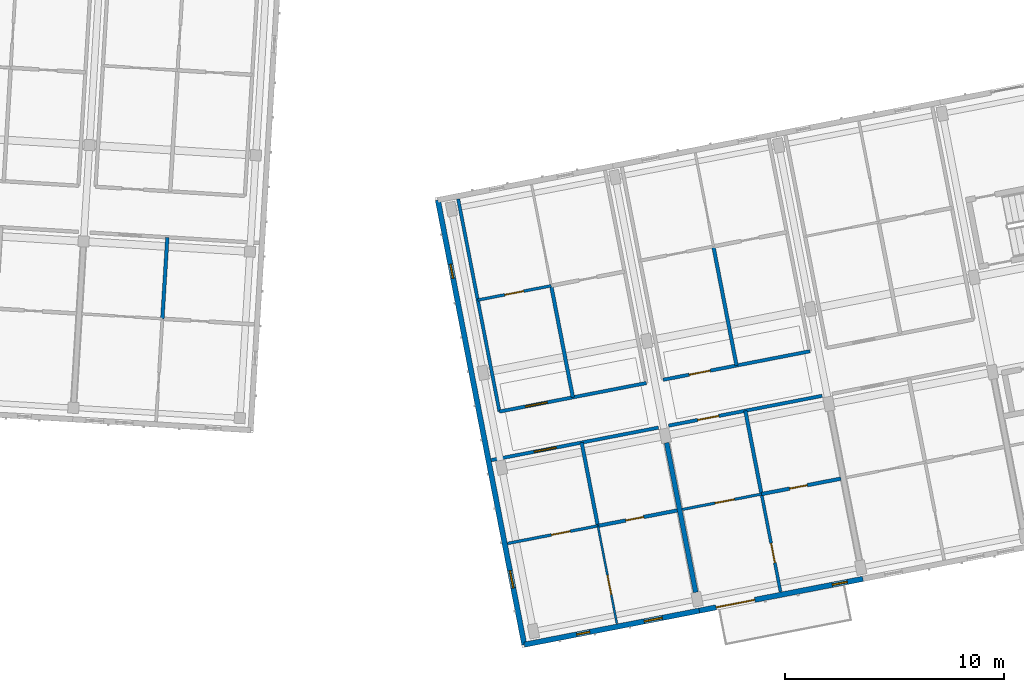
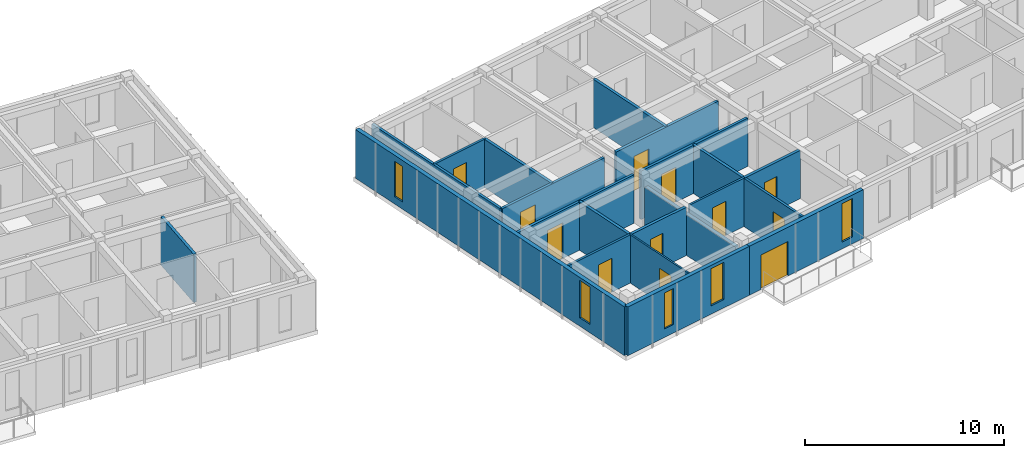
# One storey, part 28 of 68: 21 walls, 12 doors, 5 windows, 17 openings.
"""IFC4 building model written with IfcOpenShell, lengths in metres."""

from ifc_helpers import new_model, si_unit, direction, frame, frame_2d, origin, place, context, subcontext, project, spatial, rectangle, extrude, material, layer, layer_set, type_object, element, fill, save


model = new_model("IFC4")

# Units and contexts
model_context = context("Model", 3, precision=1e-05, world=origin(), true_north=direction((0.0, 1.0)))
body_context = subcontext(model_context, "Body", "Model", "MODEL_VIEW")
ifc_project = project(units=[si_unit("LENGTHUNIT", "METRE"), si_unit("AREAUNIT", "SQUARE_METRE"), si_unit("VOLUMEUNIT", "CUBIC_METRE"), si_unit("PLANEANGLEUNIT", "RADIAN"), si_unit("MASSUNIT", "GRAM", prefix="KILO")], contexts=[model_context])

# Site, building, storey
site_placement = place(None, origin())
site = spatial("IfcSite", under=ifc_project, at=site_placement, CompositionType="ELEMENT")
building_placement = place(site_placement, origin())
building = spatial("IfcBuilding", under=site, at=building_placement, Name="Kestramere Prow Commons", CompositionType="ELEMENT")
storey_placement = place(building_placement, frame((0.0, 0.0, 18.14990234375)))
storey = spatial("IfcBuildingStorey", under=building, at=storey_placement, Name="L05", CompositionType="ELEMENT", Elevation=18.14990234375)

# Wall, openings, windows
ifc_material_1 = material(Name="Fluoropolymer Standing-Seam Zinc-Aluminium Cladding", Category="aluminium")
ifc_layer_1 = layer(ifc_material_1, 0.239990234375)
ifc_layer_set_1 = layer_set([ifc_layer_1], Name="Fluoropolymer Standing-Seam Zinc-Aluminium Cladding")
wall_type_1 = type_object("IfcWallType", Name="EW-SEAM-240", PredefinedType="SOLIDWALL", material=ifc_layer_set_1)
wall_1_placement = place(storey_placement, frame((125.96044921875, 34.934814453125, 0.0), z_axis=(0.0, 0.0, 1.0), x_axis=(-0.981627273155, -0.190808533872, 0.0)))
wall_1 = element("IfcWall", 1, at=wall_1_placement, inside=storey, type_object=wall_type_1, Name="Block D L05 South Standing-Seam Wall 1", PredefinedType="SOLIDWALL", context=body_context, shape_type="SweptSolid", body=[
    extrude(rectangle(XDim=8.124755859375, YDim=0.239990234375, at=frame_2d((4.0625, 0.0))), origin(), (0.0, 0.0, 1.0), 3.0),
])
opening_1_placement = place(wall_1_placement, frame((1.716064453125, 0.0, 0.52001953125)))
opening_1 = element("IfcOpeningElement", 2, at=opening_1_placement, cuts=wall_1, Name="Opening WN-14", PredefinedType="OPENING", context=body_context, shape_type="SweptSolid", body=[
    extrude(rectangle(XDim=0.840087890625, YDim=2.280029296875, at=frame_2d((0.419921875, 1.14013671875))), frame((0.0, 0.135009765625, 0.0), z_axis=(0.0, -1.0, 0.0), x_axis=(1.0, 0.0, 0.0)), (0.0, 0.0, 1.0), 0.27001953125),
])
opening_2_placement = place(wall_1_placement, frame((5.087158203125, 0.0, 0.52001953125)))
opening_2 = element("IfcOpeningElement", 3, at=opening_2_placement, cuts=wall_1, Name="Opening WN-02", PredefinedType="OPENING", context=body_context, shape_type="SweptSolid", body=[
    extrude(rectangle(XDim=0.60009765625, YDim=2.219970703125, at=frame_2d((0.300048828125, 1.10986328125))), frame((0.0, 0.135009765625, 0.0), z_axis=(0.0, -1.0, 0.0), x_axis=(1.0, 0.0, 0.0)), (0.0, 0.0, 1.0), 0.27001953125),
])
ifc_material_2 = material(Name="Low-E Laminated Double Glazing", Category="glass")
window_type_1 = type_object("IfcWindowType", Name="WN-NAR-600A", PartitioningType="SINGLE_PANEL", PredefinedType="WINDOW", material=ifc_material_2)
window_1_placement = place(opening_2_placement, origin())
window_1 = element("IfcWindow", 4, at=window_1_placement, inside=storey, type_object=window_type_1, Name="WN-D-L05-S-0-10", OverallHeight=2.219970703125, OverallWidth=0.60009765625, PartitioningType="SINGLE_PANEL", PredefinedType="WINDOW", context=body_context, shape_type="SweptSolid", body=[
    extrude(rectangle(XDim=0.60009765625, YDim=2.219970703125, at=frame_2d((0.300048828125, 1.10986328125))), frame((0.0, 0.030029296875, 0.0), z_axis=(0.0, -1.0, 0.0), x_axis=(1.0, 0.0, 0.0)), (0.0, 0.0, 1.0), 0.06005859375),
])
fill(opening_2, window_1)
window_type_2 = type_object("IfcWindowType", Name="WN-NAR-840A", PartitioningType="DOUBLE_PANEL_VERTICAL", PredefinedType="WINDOW", material=ifc_material_2)
window_2_placement = place(opening_1_placement, origin())
window_2 = element("IfcWindow", 5, at=window_2_placement, inside=storey, type_object=window_type_2, Name="WN-D-L05-S-0-00", OverallHeight=2.280029296875, OverallWidth=0.840087890625, PartitioningType="SINGLE_PANEL", PredefinedType="WINDOW", context=body_context, shape_type="SweptSolid", body=[
    extrude(rectangle(XDim=0.840087890625, YDim=2.280029296875, at=frame_2d((0.419921875, 1.14013671875))), frame((0.0, 0.030029296875, 0.0), z_axis=(0.0, -1.0, 0.0), x_axis=(1.0, 0.0, 0.0)), (0.0, 0.0, 1.0), 0.06005859375),
])
fill(opening_1, window_2)

# Wall, openings, door, window
wall_2_placement = place(storey_placement, frame((133.4208984375, 36.385009765625, 0.0), z_axis=(0.0, 0.0, 1.0), x_axis=(-0.981626422232, -0.190812911449, 0.0)))
wall_2 = element("IfcWall", 6, at=wall_2_placement, inside=storey, type_object=wall_type_1, Name="Block D L05 South Standing-Seam Wall 2", PredefinedType="SOLIDWALL", context=body_context, shape_type="SweptSolid", body=[
    extrude(rectangle(XDim=7.60009765625, YDim=0.239990234375, at=frame_2d((3.800048828125, 0.0))), origin(), (0.0, 0.0, 1.0), 3.0),
])
opening_3_placement = place(wall_2_placement, frame((5.01904296875, 0.0, 0.0)))
opening_3 = element("IfcOpeningElement", 7, at=opening_3_placement, cuts=wall_2, Name="Opening GD-BAL-02", PredefinedType="OPENING", context=body_context, shape_type="SweptSolid", body=[
    extrude(rectangle(XDim=1.800048828125, YDim=2.1201171875, at=frame_2d((0.89990234375, 1.06005859375))), frame((0.0, 0.135009765625, 0.0), z_axis=(0.0, -1.0, 0.0), x_axis=(1.0, 0.0, 0.0)), (0.0, 0.0, 1.0), 0.27001953125),
])
opening_4_placement = place(wall_2_placement, frame((0.72998046875, 0.0, 0.419921875)))
opening_4 = element("IfcOpeningElement", 8, at=opening_4_placement, cuts=wall_2, Name="Opening WN-07", PredefinedType="OPENING", context=body_context, shape_type="SweptSolid", body=[
    extrude(rectangle(XDim=0.699951171875, YDim=2.360107421875, at=frame_2d((0.35009765625, 1.18017578125))), frame((0.0, 0.135009765625, 0.0), z_axis=(0.0, -1.0, 0.0), x_axis=(1.0, 0.0, 0.0)), (0.0, 0.0, 1.0), 0.27001953125),
])
ifc_material_3 = material(Name="Thermally-Broken Anodised Aluminium Glazed", Category="aluminium")
door_type_1 = type_object("IfcDoorType", Name="GD-BAL-1800", OperationType="SLIDING_TO_LEFT", PredefinedType="DOOR", material=ifc_material_3)
door_1_placement = place(opening_3_placement, origin())
door_1 = element("IfcDoor", 9, at=door_1_placement, inside=storey, type_object=door_type_1, Name="Block D L05 Balcony Door 2", OperationType="SLIDING_TO_LEFT", OverallHeight=2.1201171875, OverallWidth=1.800048828125, PredefinedType="DOOR", context=body_context, shape_type="SweptSolid", body=[
    extrude(rectangle(XDim=1.800048828125, YDim=2.1201171875, at=frame_2d((0.89990234375, 1.06005859375))), frame((0.0, 0.02490234375, 0.0), z_axis=(0.0, -1.0, 0.0), x_axis=(1.0, 0.0, 0.0)), (0.0, 0.0, 1.0), 0.050048828125),
])
fill(opening_3, door_1)
window_type_3 = type_object("IfcWindowType", Name="WN-NAR-700A", PartitioningType="SINGLE_PANEL", PredefinedType="WINDOW", material=ifc_material_2)
window_3_placement = place(opening_4_placement, origin())
window_3 = element("IfcWindow", 10, at=window_3_placement, inside=storey, type_object=window_type_3, Name="WN-D-L05-SR-1", OverallHeight=2.360107421875, OverallWidth=0.699951171875, PartitioningType="SINGLE_PANEL", PredefinedType="WINDOW", context=body_context, shape_type="SweptSolid", body=[
    extrude(rectangle(XDim=0.699951171875, YDim=2.360107421875, at=frame_2d((0.35009765625, 1.18017578125))), frame((0.0, 0.030029296875, 0.0), z_axis=(0.0, -1.0, 0.0), x_axis=(1.0, 0.0, 0.0)), (0.0, 0.0, 1.0), 0.06005859375),
])
fill(opening_4, window_3)

# Wall, openings, windows
wall_3_placement = place(storey_placement, frame((117.98486328125, 33.384521484375, 0.0), z_axis=(0.0, 0.0, 1.0), x_axis=(-0.190808900739, 0.981627201843, 0.0)))
wall_3 = element("IfcWall", 11, at=wall_3_placement, inside=storey, type_object=wall_type_1, Name="Block D L05 EAV Facet Wall", PredefinedType="SOLIDWALL", context=body_context, shape_type="SweptSolid", body=[
    extrude(rectangle(XDim=20.64990234375, YDim=0.239990234375, at=frame_2d((10.324951171875, 0.0))), origin(), (0.0, 0.0, 1.0), 3.0),
])
opening_5_placement = place(wall_3_placement, frame((2.6298828125, 0.0, 0.52001953125)))
opening_5 = element("IfcOpeningElement", 12, at=opening_5_placement, cuts=wall_3, Name="Opening WN-12", PredefinedType="OPENING", context=body_context, shape_type="SweptSolid", body=[
    extrude(rectangle(XDim=0.800048828125, YDim=2.300048828125, at=frame_2d((0.39990234375, 1.14990234375))), frame((0.0, 0.135009765625, 0.0), z_axis=(0.0, -1.0, 0.0), x_axis=(1.0, 0.0, 0.0)), (0.0, 0.0, 1.0), 0.27001953125),
])
opening_6_placement = place(wall_3_placement, frame((17.02001953125, 0.0, 0.449951171875)))
opening_6 = element("IfcOpeningElement", 13, at=opening_6_placement, cuts=wall_3, Name="Opening WN-04", PredefinedType="OPENING", context=body_context, shape_type="SweptSolid", body=[
    extrude(rectangle(XDim=0.639892578125, YDim=2.179931640625, at=frame_2d((0.31982421875, 1.08984375))), frame((0.0, 0.135009765625, 0.0), z_axis=(0.0, -1.0, 0.0), x_axis=(1.0, 0.0, 0.0)), (0.0, 0.0, 1.0), 0.27001953125),
])
window_type_4 = type_object("IfcWindowType", Name="WN-NAR-640A", PartitioningType="SINGLE_PANEL", PredefinedType="WINDOW", material=ifc_material_2)
window_4_placement = place(opening_6_placement, origin())
window_4 = element("IfcWindow", 14, at=window_4_placement, inside=storey, type_object=window_type_4, Name="WN-D-L05-EAV-1", OverallHeight=2.179931640625, OverallWidth=0.639892578125, PartitioningType="SINGLE_PANEL", PredefinedType="WINDOW", context=body_context, shape_type="SweptSolid", body=[
    extrude(rectangle(XDim=0.639892578125, YDim=2.179931640625, at=frame_2d((0.31982421875, 1.08984375))), frame((0.0, 0.030029296875, 0.0), z_axis=(0.0, -1.0, 0.0), x_axis=(1.0, 0.0, 0.0)), (0.0, 0.0, 1.0), 0.06005859375),
])
fill(opening_6, window_4)
window_type_5 = type_object("IfcWindowType", Name="WN-NAR-800A", PartitioningType="SINGLE_PANEL", PredefinedType="WINDOW", material=ifc_material_2)
window_5_placement = place(opening_5_placement, origin())
window_5 = element("IfcWindow", 15, at=window_5_placement, inside=storey, type_object=window_type_5, Name="WN-D-L05-EAV-0", OverallHeight=2.300048828125, OverallWidth=0.800048828125, PartitioningType="SINGLE_PANEL", PredefinedType="WINDOW", context=body_context, shape_type="SweptSolid", body=[
    extrude(rectangle(XDim=0.800048828125, YDim=2.300048828125, at=frame_2d((0.39990234375, 1.14990234375))), frame((0.0, 0.030029296875, 0.0), z_axis=(0.0, -1.0, 0.0), x_axis=(1.0, 0.0, 0.0)), (0.0, 0.0, 1.0), 0.06005859375),
])
fill(opening_5, window_5)

# Wall, opening, door
ifc_material_4 = material(Name="Fire-Rated Calcium Silicate Wall")
ifc_layer_2 = layer(ifc_material_4, 0.155029296875)
ifc_layer_set_2 = layer_set([ifc_layer_2], Name="Fire-Rated Calcium Silicate Wall")
wall_type_2 = type_object("IfcWallType", Name="W-FIRE-150", PredefinedType="PARTITIONING", material=ifc_layer_set_2)
wall_4_placement = place(storey_placement, frame((116.48193359375, 41.79736328125, 0.0), z_axis=(0.0, 0.0, 1.0), x_axis=(0.981626358594, 0.190813238834, 0.0)))
wall_4 = element("IfcWall", 16, at=wall_4_placement, inside=storey, type_object=wall_type_2, Name="Interior Partition PW-D-L05-CS-0", PredefinedType="PARTITIONING", context=body_context, shape_type="SweptSolid", body=[
    extrude(rectangle(XDim=7.760009765625, YDim=0.155029296875, at=frame_2d((3.8798828125, 0.0))), origin(), (0.0, 0.0, 1.0), 2.97021484375),
])
opening_7_placement = place(wall_4_placement, frame((1.985107421875, 0.0, 0.0)))
opening_7 = element("IfcOpeningElement", 17, at=opening_7_placement, cuts=wall_4, Name="Opening ID-05", PredefinedType="OPENING", context=body_context, shape_type="SweptSolid", body=[
    extrude(rectangle(XDim=1.02001953125, YDim=2.199951171875, at=frame_2d((0.510009765625, 1.10009765625))), frame((0.0, 0.092529296875, 0.0), z_axis=(0.0, -1.0, 0.0), x_axis=(1.0, 0.0, 0.0)), (0.0, 0.0, 1.0), 0.18505859375),
])
ifc_material_5 = material(Name="Hardwood Fire-Rated Flat Entrance Door", Category="wood")
door_type_2 = type_object("IfcDoorType", Name="FD-ENT-02", OperationType="NOTDEFINED", PredefinedType="DOOR", material=ifc_material_5)
door_2_placement = place(opening_7_placement, origin())
door_2 = element("IfcDoor", 18, at=door_2_placement, inside=storey, type_object=door_type_2, Name="Interior Door DR-D-L05-ENT-S0", OperationType="SINGLE_SWING_RIGHT", OverallHeight=2.199951171875, OverallWidth=1.02001953125, PredefinedType="DOOR", context=body_context, shape_type="SweptSolid", body=[
    extrude(rectangle(XDim=1.02001953125, YDim=2.199951171875, at=frame_2d((0.510009765625, 1.10009765625))), frame((0.0, 0.02490234375, 0.0), z_axis=(0.0, -1.0, 0.0), x_axis=(1.0, 0.0, 0.0)), (0.0, 0.0, 1.0), 0.050048828125),
])
fill(opening_7, door_2)

wall_5_placement = place(storey_placement, frame((124.560791015625, 43.36767578125, 0.0), z_axis=(0.0, 0.0, 1.0), x_axis=(0.981630356092, 0.190792672811, 0.0)))
wall_5 = element("IfcWall", 19, at=wall_5_placement, inside=storey, type_object=wall_type_2, Name="Interior Partition PW-D-L05-CS-1", PredefinedType="PARTITIONING", context=body_context, shape_type="SweptSolid", body=[
    extrude(rectangle(XDim=7.1298828125, YDim=0.155029296875, at=frame_2d((3.56494140625, 0.0))), origin(), (0.0, 0.0, 1.0), 2.97021484375),
])
opening_8_placement = place(wall_5_placement, frame((1.35498046875, 0.0, 0.0)))
opening_8 = element("IfcOpeningElement", 20, at=opening_8_placement, cuts=wall_5, Name="Opening ID-04", PredefinedType="OPENING", context=body_context, shape_type="SweptSolid", body=[
    extrude(rectangle(XDim=0.97998046875, YDim=2.14990234375, at=frame_2d((0.489990234375, 1.074951171875))), frame((0.0, 0.092529296875, 0.0), z_axis=(0.0, -1.0, 0.0), x_axis=(1.0, 0.0, 0.0)), (0.0, 0.0, 1.0), 0.18505859375),
])
door_type_3 = type_object("IfcDoorType", Name="FD-ENT-01", OperationType="NOTDEFINED", PredefinedType="DOOR", material=ifc_material_5)
door_3_placement = place(opening_8_placement, origin())
door_3 = element("IfcDoor", 21, at=door_3_placement, inside=storey, type_object=door_type_3, Name="Interior Door DR-D-L05-ENT-S1", OperationType="SINGLE_SWING_LEFT", OverallHeight=2.14990234375, OverallWidth=0.97998046875, PredefinedType="DOOR", context=body_context, shape_type="SweptSolid", body=[
    extrude(rectangle(XDim=0.97998046875, YDim=2.14990234375, at=frame_2d((0.489990234375, 1.074951171875))), frame((0.0, 0.02490234375, 0.0), z_axis=(0.0, -1.0, 0.0), x_axis=(1.0, 0.0, 0.0)), (0.0, 0.0, 1.0), 0.050048828125),
])
fill(opening_8, door_3)

wall_6_placement = place(storey_placement, frame((116.851806640625, 44.008544921875, 0.0), z_axis=(0.0, 0.0, 1.0), x_axis=(0.981629173664, 0.190798756314, 0.0)))
wall_6 = element("IfcWall", 22, at=wall_6_placement, inside=storey, type_object=wall_type_2, Name="Interior Partition PW-D-L05-CN-0", PredefinedType="PARTITIONING", context=body_context, shape_type="SweptSolid", body=[
    extrude(rectangle(XDim=6.820068359375, YDim=0.155029296875, at=frame_2d((3.41015625, 0.0))), origin(), (0.0, 0.0, 1.0), 2.97021484375),
])
opening_9_placement = place(wall_6_placement, frame((1.205078125, 0.0, 0.0)))
opening_9 = element("IfcOpeningElement", 23, at=opening_9_placement, cuts=wall_6, Name="Opening ID-05", PredefinedType="OPENING", context=body_context, shape_type="SweptSolid", body=[
    extrude(rectangle(XDim=1.02001953125, YDim=2.199951171875, at=frame_2d((0.510009765625, 1.10009765625))), frame((0.0, 0.092529296875, 0.0), z_axis=(0.0, -1.0, 0.0), x_axis=(1.0, 0.0, 0.0)), (0.0, 0.0, 1.0), 0.18505859375),
])
door_4_placement = place(opening_9_placement, origin())
door_4 = element("IfcDoor", 24, at=door_4_placement, inside=storey, type_object=door_type_2, Name="Interior Door DR-D-L05-ENT-N0", OperationType="SINGLE_SWING_RIGHT", OverallHeight=2.199951171875, OverallWidth=1.02001953125, PredefinedType="DOOR", context=body_context, shape_type="SweptSolid", body=[
    extrude(rectangle(XDim=1.02001953125, YDim=2.199951171875, at=frame_2d((0.510009765625, 1.10009765625))), frame((0.0, 0.02490234375, 0.0), z_axis=(0.0, -1.0, 0.0), x_axis=(1.0, 0.0, 0.0)), (0.0, 0.0, 1.0), 0.050048828125),
])
fill(opening_9, door_4)

wall_7_placement = place(storey_placement, frame((124.312255859375, 45.458740234375, 0.0), z_axis=(0.0, 0.0, 1.0), x_axis=(0.981627870431, 0.190805461121, 0.0)))
wall_7 = element("IfcWall", 25, at=wall_7_placement, inside=storey, type_object=wall_type_2, Name="Interior Partition PW-D-L05-CN-1", PredefinedType="PARTITIONING", context=body_context, shape_type="SweptSolid", body=[
    extrude(rectangle(XDim=6.81982421875, YDim=0.155029296875, at=frame_2d((3.409912109375, 0.0))), origin(), (0.0, 0.0, 1.0), 2.97021484375),
])
opening_10_placement = place(wall_7_placement, frame((1.205078125, 0.0, 0.0)))
opening_10 = element("IfcOpeningElement", 26, at=opening_10_placement, cuts=wall_7, Name="Opening ID-04", PredefinedType="OPENING", context=body_context, shape_type="SweptSolid", body=[
    extrude(rectangle(XDim=0.97998046875, YDim=2.14990234375, at=frame_2d((0.489990234375, 1.074951171875))), frame((0.0, 0.092529296875, 0.0), z_axis=(0.0, -1.0, 0.0), x_axis=(1.0, 0.0, 0.0)), (0.0, 0.0, 1.0), 0.18505859375),
])
door_5_placement = place(opening_10_placement, origin())
door_5 = element("IfcDoor", 27, at=door_5_placement, inside=storey, type_object=door_type_3, Name="Interior Door DR-D-L05-ENT-N1", OperationType="SINGLE_SWING_LEFT", OverallHeight=2.14990234375, OverallWidth=0.97998046875, PredefinedType="DOOR", context=body_context, shape_type="SweptSolid", body=[
    extrude(rectangle(XDim=0.97998046875, YDim=2.14990234375, at=frame_2d((0.489990234375, 1.074951171875))), frame((0.0, 0.02490234375, 0.0), z_axis=(0.0, -1.0, 0.0), x_axis=(1.0, 0.0, 0.0)), (0.0, 0.0, 1.0), 0.050048828125),
])
fill(opening_10, door_5)

ifc_material_6 = material(Name="Lightweight Blockwork and Plaster", Category="masonry")
ifc_layer_3 = layer(ifc_material_6, 0.1201171875)
ifc_layer_set_3 = layer_set([ifc_layer_3], Name="Lightweight Blockwork and Plaster")
wall_type_3 = type_object("IfcWallType", Name="W-PART-120", PredefinedType="PARTITIONING", material=ifc_layer_set_3)
wall_8_placement = place(storey_placement, frame((125.181396484375, 39.5458984375, 0.0), z_axis=(0.0, 0.0, 1.0), x_axis=(0.981626422232, 0.190812911449, 0.0)))
wall_8 = element("IfcWall", 28, at=wall_8_placement, inside=storey, type_object=wall_type_3, Name="Interior Partition PW-D-L05-MIDS1-1", PredefinedType="PARTITIONING", context=body_context, shape_type="SweptSolid", body=[
    extrude(rectangle(XDim=3.684814453125, YDim=0.1201171875, at=frame_2d((1.84228515625, 0.0))), origin(), (0.0, 0.0, 1.0), 2.97021484375),
])
opening_11_placement = place(wall_8_placement, frame((1.52490234375, 0.0, 0.0)))
opening_11 = element("IfcOpeningElement", 29, at=opening_11_placement, cuts=wall_8, Name="Opening ID-08", PredefinedType="OPENING", context=body_context, shape_type="SweptSolid", body=[
    extrude(rectangle(XDim=0.89990234375, YDim=2.10009765625, at=frame_2d((0.449951171875, 1.050048828125))), frame((0.0, 0.074951171875, 0.0), z_axis=(0.0, -1.0, 0.0), x_axis=(1.0, 0.0, 0.0)), (0.0, 0.0, 1.0), 0.150146484375),
])
ifc_material_7 = material(Name="Engineered Timber Flush Door", Category="wood")
door_type_4 = type_object("IfcDoorType", Name="D-RM-01", OperationType="NOTDEFINED", PredefinedType="DOOR", material=ifc_material_7)
door_6_placement = place(opening_11_placement, origin())
door_6 = element("IfcDoor", 30, at=door_6_placement, inside=storey, type_object=door_type_4, Name="Interior Door DR-D-L05-KL-S1", OperationType="SINGLE_SWING_RIGHT", OverallHeight=2.10009765625, OverallWidth=0.89990234375, PredefinedType="DOOR", context=body_context, shape_type="SweptSolid", body=[
    extrude(rectangle(XDim=0.89990234375, YDim=2.10009765625, at=frame_2d((0.449951171875, 1.050048828125))), frame((0.0, 0.02490234375, 0.0), z_axis=(0.0, -1.0, 0.0), x_axis=(1.0, 0.0, 0.0)), (0.0, 0.0, 1.0), 0.050048828125),
])
fill(opening_11, door_6)

ifc_layer_4 = layer(ifc_material_6, 0.1298828125)
ifc_layer_set_4 = layer_set([ifc_layer_4], Name="Lightweight Blockwork and Plaster")
wall_type_4 = type_object("IfcWallType", Name="W-PART-130", PredefinedType="PARTITIONING", material=ifc_layer_set_4)
wall_9_placement = place(storey_placement, frame((117.220458984375, 37.998291015625, 0.0), z_axis=(0.0, 0.0, 1.0), x_axis=(0.981622961106, 0.19083071616, 0.0)))
wall_9 = element("IfcWall", 31, at=wall_9_placement, inside=storey, type_object=wall_type_4, Name="Interior Partition PW-D-L05-MIDS1-0", PredefinedType="PARTITIONING", context=body_context, shape_type="SweptSolid", body=[
    extrude(rectangle(XDim=4.195068359375, YDim=0.1298828125, at=frame_2d((2.09765625, 0.0))), origin(), (0.0, 0.0, 1.0), 2.97021484375),
])
opening_12_placement = place(wall_9_placement, frame((2.034912109375, 0.0, 0.0)))
opening_12 = element("IfcOpeningElement", 32, at=opening_12_placement, cuts=wall_9, Name="Opening ID-10", PredefinedType="OPENING", context=body_context, shape_type="SweptSolid", body=[
    extrude(rectangle(XDim=0.8798828125, YDim=2.10009765625, at=frame_2d((0.43994140625, 1.050048828125))), frame((0.0, 0.079833984375, 0.0), z_axis=(0.0, -1.0, 0.0), x_axis=(1.0, 0.0, 0.0)), (0.0, 0.0, 1.0), 0.159912109375),
])
ifc_material_8 = material(Name="Engineered Timber Bedroom Door", Category="wood")
door_type_5 = type_object("IfcDoorType", Name="D-RM-03", OperationType="NOTDEFINED", PredefinedType="DOOR", material=ifc_material_8)
door_7_placement = place(opening_12_placement, origin())
door_7 = element("IfcDoor", 33, at=door_7_placement, inside=storey, type_object=door_type_5, Name="Interior Door DR-D-L05-KL-S0", OperationType="SINGLE_SWING_RIGHT", OverallHeight=2.10009765625, OverallWidth=0.8798828125, PredefinedType="DOOR", context=body_context, shape_type="SweptSolid", body=[
    extrude(rectangle(XDim=0.8798828125, YDim=2.10009765625, at=frame_2d((0.43994140625, 1.050048828125))), frame((0.0, 0.02490234375, 0.0), z_axis=(0.0, -1.0, 0.0), x_axis=(1.0, 0.0, 0.0)), (0.0, 0.0, 1.0), 0.050048828125),
])
fill(opening_12, door_7)

wall_10_placement = place(storey_placement, frame((115.863525390625, 49.09326171875, 0.0), z_axis=(0.0, 0.0, 1.0), x_axis=(0.98162656706, 0.190812166391, 0.0)))
wall_10 = element("IfcWall", 34, at=wall_10_placement, inside=storey, type_object=wall_type_4, Name="Interior Partition PW-D-L05-MIDN1-0", PredefinedType="PARTITIONING", context=body_context, shape_type="SweptSolid", body=[
    extrude(rectangle(XDim=3.409912109375, YDim=0.1298828125, at=frame_2d((1.705078125, 0.0))), origin(), (0.0, 0.0, 1.0), 2.97021484375),
])
opening_13_placement = place(wall_10_placement, frame((1.2548828125, 0.0, 0.0)))
opening_13 = element("IfcOpeningElement", 35, at=opening_13_placement, cuts=wall_10, Name="Opening ID-10", PredefinedType="OPENING", context=body_context, shape_type="SweptSolid", body=[
    extrude(rectangle(XDim=0.8798828125, YDim=2.10009765625, at=frame_2d((0.43994140625, 1.050048828125))), frame((0.0, 0.079833984375, 0.0), z_axis=(0.0, -1.0, 0.0), x_axis=(1.0, 0.0, 0.0)), (0.0, 0.0, 1.0), 0.159912109375),
])
door_8_placement = place(opening_13_placement, origin())
door_8 = element("IfcDoor", 36, at=door_8_placement, inside=storey, type_object=door_type_5, Name="Interior Door DR-D-L05-KL-N0", OperationType="SINGLE_SWING_LEFT", OverallHeight=2.10009765625, OverallWidth=0.8798828125, PredefinedType="DOOR", context=body_context, shape_type="SweptSolid", body=[
    extrude(rectangle(XDim=0.8798828125, YDim=2.10009765625, at=frame_2d((0.43994140625, 1.050048828125))), frame((0.0, 0.02490234375, 0.0), z_axis=(0.0, -1.0, 0.0), x_axis=(1.0, 0.0, 0.0)), (0.0, 0.0, 1.0), 0.050048828125),
])
fill(opening_13, door_8)

ifc_material_9 = material(Name="Masonry Compartment Wall", Category="masonry")
ifc_layer_5 = layer(ifc_material_9, 0.139892578125)
ifc_layer_set_5 = layer_set([ifc_layer_5], Name="Masonry Compartment Wall")
wall_type_5 = type_object("IfcWallType", Name="W-PART-140", PredefinedType="PARTITIONING", material=ifc_layer_set_5)
wall_11_placement = place(storey_placement, frame((129.6650390625, 35.79248046875, 0.0), z_axis=(0.0, 0.0, 1.0), x_axis=(-0.190849508215, 0.981619307682, 0.0)))
wall_11 = element("IfcWall", 37, at=wall_11_placement, inside=storey, type_object=wall_type_5, Name="Interior Partition PW-D-L05-LB-S1", PredefinedType="PARTITIONING", context=body_context, shape_type="SweptSolid", body=[
    extrude(rectangle(XDim=4.5400390625, YDim=0.139892578125, at=frame_2d((2.27001953125, 0.0))), origin(), (0.0, 0.0, 1.0), 2.97021484375),
])
opening_14_placement = place(wall_11_placement, frame((1.35009765625, 0.0, 0.0)))
opening_14 = element("IfcOpeningElement", 38, at=opening_14_placement, cuts=wall_11, Name="Opening ID-08", PredefinedType="OPENING", context=body_context, shape_type="SweptSolid", body=[
    extrude(rectangle(XDim=0.89990234375, YDim=2.10009765625, at=frame_2d((0.449951171875, 1.050048828125))), frame((0.0, 0.0849609375, 0.0), z_axis=(0.0, -1.0, 0.0), x_axis=(1.0, 0.0, 0.0)), (0.0, 0.0, 1.0), 0.169921875),
])
door_9_placement = place(opening_14_placement, origin())
door_9 = element("IfcDoor", 39, at=door_9_placement, inside=storey, type_object=door_type_4, Name="Interior Door DR-D-L05-BED-S1", OperationType="SINGLE_SWING_RIGHT", OverallHeight=2.10009765625, OverallWidth=0.89990234375, PredefinedType="DOOR", context=body_context, shape_type="SweptSolid", body=[
    extrude(rectangle(XDim=0.89990234375, YDim=2.10009765625, at=frame_2d((0.449951171875, 1.050048828125))), frame((0.0, 0.02490234375, 0.0), z_axis=(0.0, -1.0, 0.0), x_axis=(1.0, 0.0, 0.0)), (0.0, 0.0, 1.0), 0.050048828125),
])
fill(opening_14, door_9)

# Wall
ifc_layer_6 = layer(ifc_material_9, 0.14990234375)
ifc_layer_set_6 = layer_set([ifc_layer_6], Name="Masonry Compartment Wall")
wall_type_6 = type_object("IfcWallType", Name="W-PART-150", PredefinedType="PARTITIONING", material=ifc_layer_set_6)
wall_12_placement = place(storey_placement, frame((116.851806640625, 44.008544921875, 0.0), z_axis=(0.0, 0.0, 1.0), x_axis=(-0.190814044018, 0.981626202078, 0.0)))
element("IfcWall", 40, at=wall_12_placement, inside=storey, type_object=wall_type_6, Name="Interior Partition PW-D-L05-NWL-0", PredefinedType="PARTITIONING", context=body_context, shape_type="SweptSolid", body=[
    extrude(rectangle(XDim=9.869873046875, YDim=0.14990234375, at=frame_2d((4.93505859375, 0.0))), origin(), (0.0, 0.0, 1.0), 2.97021484375),
])

# Wall, opening, door
ifc_material_10 = material(Name="Gypsum Acoustic Drywall")
ifc_layer_7 = layer(ifc_material_10, 0.094970703125)
ifc_layer_set_7 = layer_set([ifc_layer_7], Name="Gypsum Acoustic Drywall")
wall_type_7 = type_object("IfcWallType", Name="W-PART-95", PredefinedType="PARTITIONING", material=ifc_layer_set_7)
wall_13_placement = place(storey_placement, frame((122.20458984375, 34.34228515625, 0.0), z_axis=(0.0, 0.0, 1.0), x_axis=(-0.190797690541, 0.981629380817, 0.0)))
wall_13 = element("IfcWall", 41, at=wall_13_placement, inside=storey, type_object=wall_type_7, Name="Interior Partition PW-D-L05-LB-S0", PredefinedType="PARTITIONING", context=body_context, shape_type="SweptSolid", body=[
    extrude(rectangle(XDim=4.5400390625, YDim=0.094970703125, at=frame_2d((2.27001953125, 0.0))), origin(), (0.0, 0.0, 1.0), 2.97021484375),
])
opening_15_placement = place(wall_13_placement, frame((1.35009765625, 0.0, 0.0)))
opening_15 = element("IfcOpeningElement", 42, at=opening_15_placement, cuts=wall_13, Name="Opening ID-08", PredefinedType="OPENING", context=body_context, shape_type="SweptSolid", body=[
    extrude(rectangle(XDim=0.89990234375, YDim=2.10009765625, at=frame_2d((0.449951171875, 1.050048828125))), frame((0.0, 0.0625, 0.0), z_axis=(0.0, -1.0, 0.0), x_axis=(1.0, 0.0, 0.0)), (0.0, 0.0, 1.0), 0.125),
])
door_10_placement = place(opening_15_placement, origin())
door_10 = element("IfcDoor", 43, at=door_10_placement, inside=storey, type_object=door_type_4, Name="Interior Door DR-D-L05-BED-S0", OperationType="SINGLE_SWING_LEFT", OverallHeight=2.10009765625, OverallWidth=0.89990234375, PredefinedType="DOOR", context=body_context, shape_type="SweptSolid", body=[
    extrude(rectangle(XDim=0.89990234375, YDim=2.10009765625, at=frame_2d((0.449951171875, 1.050048828125))), frame((0.0, 0.02490234375, 0.0), z_axis=(0.0, -1.0, 0.0), x_axis=(1.0, 0.0, 0.0)), (0.0, 0.0, 1.0), 0.050048828125),
])
fill(opening_15, door_10)

# Wall
ifc_material_11 = material(Name="Waterproof Sanitary Masonry Wall", Category="masonry")
ifc_layer_8 = layer(ifc_material_11, 0.1650390625)
ifc_layer_set_8 = layer_set([ifc_layer_8], Name="Waterproof Sanitary Masonry Wall")
wall_type_8 = type_object("IfcWallType", Name="W-PLUMB-150", PredefinedType="PLUMBINGWALL", material=ifc_layer_set_8)
wall_14_placement = place(storey_placement, frame((101.484619140625, 48.240234375, 0.0), z_axis=(0.0, 0.0, 1.0), x_axis=(0.061038003798, 0.998135442759, 0.0)))
element("IfcWall", 44, at=wall_14_placement, inside=storey, type_object=wall_type_8, Name="Interior Partition PW-C-L05-KB-S5", PredefinedType="PLUMBINGWALL", context=body_context, shape_type="SweptSolid", body=[
    extrude(rectangle(XDim=3.7197265625, YDim=0.1650390625, at=frame_2d((1.85986328125, 0.0))), origin(), (0.0, 0.0, 1.0), 2.97021484375),
])

# Wall, opening, door
wall_15_placement = place(storey_placement, frame((121.33837890625, 38.798828125, 0.0), z_axis=(0.0, 0.0, 1.0), x_axis=(0.981626422232, 0.190812911449, 0.0)))
wall_15 = element("IfcWall", 45, at=wall_15_placement, inside=storey, type_object=wall_type_8, Name="Interior Partition PW-D-L05-MIDS2-0", PredefinedType="PLUMBINGWALL", context=body_context, shape_type="SweptSolid", body=[
    extrude(rectangle(XDim=3.684814453125, YDim=0.1650390625, at=frame_2d((1.84228515625, 0.0))), origin(), (0.0, 0.0, 1.0), 2.97021484375),
])
opening_16_placement = place(wall_15_placement, frame((1.300048828125, 0.0, 0.0)))
opening_16 = element("IfcOpeningElement", 46, at=opening_16_placement, cuts=wall_15, Name="Opening ID-11", PredefinedType="OPENING", context=body_context, shape_type="SweptSolid", body=[
    extrude(rectangle(XDim=0.820068359375, YDim=2.080078125, at=frame_2d((0.41015625, 1.0400390625))), frame((0.0, 0.097412109375, 0.0), z_axis=(0.0, -1.0, 0.0), x_axis=(1.0, 0.0, 0.0)), (0.0, 0.0, 1.0), 0.195068359375),
])
ifc_material_12 = material(Name="Moisture-Resistant Timber Bathroom Door", Category="wood")
door_type_6 = type_object("IfcDoorType", Name="D-BT-01", OperationType="NOTDEFINED", PredefinedType="DOOR", material=ifc_material_12)
door_11_placement = place(opening_16_placement, origin())
door_11 = element("IfcDoor", 47, at=door_11_placement, inside=storey, type_object=door_type_6, Name="Interior Door DR-D-L05-BTH-S0", OperationType="SINGLE_SWING_LEFT", OverallHeight=2.080078125, OverallWidth=0.820068359375, PredefinedType="DOOR", context=body_context, shape_type="SweptSolid", body=[
    extrude(rectangle(XDim=0.820068359375, YDim=2.080078125, at=frame_2d((0.41015625, 1.0400390625))), frame((0.0, 0.02490234375, 0.0), z_axis=(0.0, -1.0, 0.0), x_axis=(1.0, 0.0, 0.0)), (0.0, 0.0, 1.0), 0.050048828125),
])
fill(opening_16, door_11)

# Wall
wall_16_placement = place(storey_placement, frame((121.33837890625, 38.798828125, 0.0), z_axis=(0.0, 0.0, 1.0), x_axis=(-0.190835887914, 0.981621955686, 0.0)))
element("IfcWall", 48, at=wall_16_placement, inside=storey, type_object=wall_type_8, Name="Interior Partition PW-D-L05-KB-S0", PredefinedType="PLUMBINGWALL", context=body_context, shape_type="SweptSolid", body=[
    extrude(rectangle(XDim=3.869873046875, YDim=0.1650390625, at=frame_2d((1.93505859375, 0.0))), origin(), (0.0, 0.0, 1.0), 2.97021484375),
])

# Wall, opening, door
wall_17_placement = place(storey_placement, frame((128.798583984375, 40.2490234375, 0.0), z_axis=(0.0, 0.0, 1.0), x_axis=(0.981628834294, 0.190800502313, 0.0)))
wall_17 = element("IfcWall", 49, at=wall_17_placement, inside=storey, type_object=wall_type_8, Name="Interior Partition PW-D-L05-MIDS2-1", PredefinedType="PLUMBINGWALL", context=body_context, shape_type="SweptSolid", body=[
    extrude(rectangle(XDim=3.68505859375, YDim=0.1650390625, at=frame_2d((1.842529296875, 0.0))), origin(), (0.0, 0.0, 1.0), 2.97021484375),
])
opening_17_placement = place(wall_17_placement, frame((1.300048828125, 0.0, 0.0)))
opening_17 = element("IfcOpeningElement", 50, at=opening_17_placement, cuts=wall_17, Name="Opening ID-11", PredefinedType="OPENING", context=body_context, shape_type="SweptSolid", body=[
    extrude(rectangle(XDim=0.820068359375, YDim=2.080078125, at=frame_2d((0.41015625, 1.0400390625))), frame((0.0, 0.097412109375, 0.0), z_axis=(0.0, -1.0, 0.0), x_axis=(1.0, 0.0, 0.0)), (0.0, 0.0, 1.0), 0.195068359375),
])
door_12_placement = place(opening_17_placement, origin())
door_12 = element("IfcDoor", 51, at=door_12_placement, inside=storey, type_object=door_type_6, Name="Interior Door DR-D-L05-BTH-S1", OperationType="SINGLE_SWING_LEFT", OverallHeight=2.080078125, OverallWidth=0.820068359375, PredefinedType="DOOR", context=body_context, shape_type="SweptSolid", body=[
    extrude(rectangle(XDim=0.820068359375, YDim=2.080078125, at=frame_2d((0.41015625, 1.0400390625))), frame((0.0, 0.02490234375, 0.0), z_axis=(0.0, -1.0, 0.0), x_axis=(1.0, 0.0, 0.0)), (0.0, 0.0, 1.0), 0.050048828125),
])
fill(opening_17, door_12)

# Walls
wall_18_placement = place(storey_placement, frame((128.798583984375, 40.2490234375, 0.0), z_axis=(0.0, 0.0, 1.0), x_axis=(-0.190775098069, 0.981633771809, 0.0)))
element("IfcWall", 52, at=wall_18_placement, inside=storey, type_object=wall_type_8, Name="Interior Partition PW-D-L05-KB-S1", PredefinedType="PLUMBINGWALL", context=body_context, shape_type="SweptSolid", body=[
    extrude(rectangle(XDim=3.869873046875, YDim=0.1650390625, at=frame_2d((1.93505859375, 0.0))), origin(), (0.0, 0.0, 1.0), 2.97021484375),
])
wall_19_placement = place(storey_placement, frame((120.19921875, 44.6591796875, 0.0), z_axis=(0.0, 0.0, 1.0), x_axis=(-0.190838120755, 0.981621521599, 0.0)))
element("IfcWall", 53, at=wall_19_placement, inside=storey, type_object=wall_type_8, Name="Interior Partition PW-D-L05-KB-N0", PredefinedType="PLUMBINGWALL", context=body_context, shape_type="SweptSolid", body=[
    extrude(rectangle(XDim=5.179931640625, YDim=0.1650390625, at=frame_2d((2.58984375, 0.0))), origin(), (0.0, 0.0, 1.0), 2.97021484375),
])
wall_20_placement = place(storey_placement, frame((127.65966796875, 46.109375, 0.0), z_axis=(0.0, 0.0, 1.0), x_axis=(-0.190815300433, 0.981625957848, 0.0)))
element("IfcWall", 54, at=wall_20_placement, inside=storey, type_object=wall_type_8, Name="Interior Partition PW-D-L05-KB-N1", PredefinedType="PLUMBINGWALL", context=body_context, shape_type="SweptSolid", body=[
    extrude(rectangle(XDim=5.52978515625, YDim=0.1650390625, at=frame_2d((2.764892578125, 0.0))), origin(), (0.0, 0.0, 1.0), 2.97021484375),
])
ifc_material_13 = material(Name="Precast concrete C40/50", Category="concrete")
ifc_layer_9 = layer(ifc_material_13, 0.219970703125)
ifc_layer_set_9 = layer_set([ifc_layer_9], Name="Precast concrete C40/50")
wall_type_9 = type_object("IfcWallType", Name="W-XWALL-220", PredefinedType="SHEAR", material=ifc_layer_set_9)
wall_21_placement = place(storey_placement, frame((125.79833984375, 35.769287109375, 0.0), z_axis=(0.0, 0.0, 1.0), x_axis=(-0.190817005532, 0.981625626397, 0.0)))
element("IfcWall", 55, at=wall_21_placement, inside=storey, type_object=wall_type_9, Name="Block D L05 Precast Cross-Wall 1", PredefinedType="SHEAR", context=body_context, shape_type="SweptSolid", body=[
    extrude(rectangle(XDim=6.949951171875, YDim=0.219970703125, at=frame_2d((3.47509765625, 0.0))), origin(), (0.0, 0.0, 1.0), 2.5),
])

save(model, "model.ifc")
